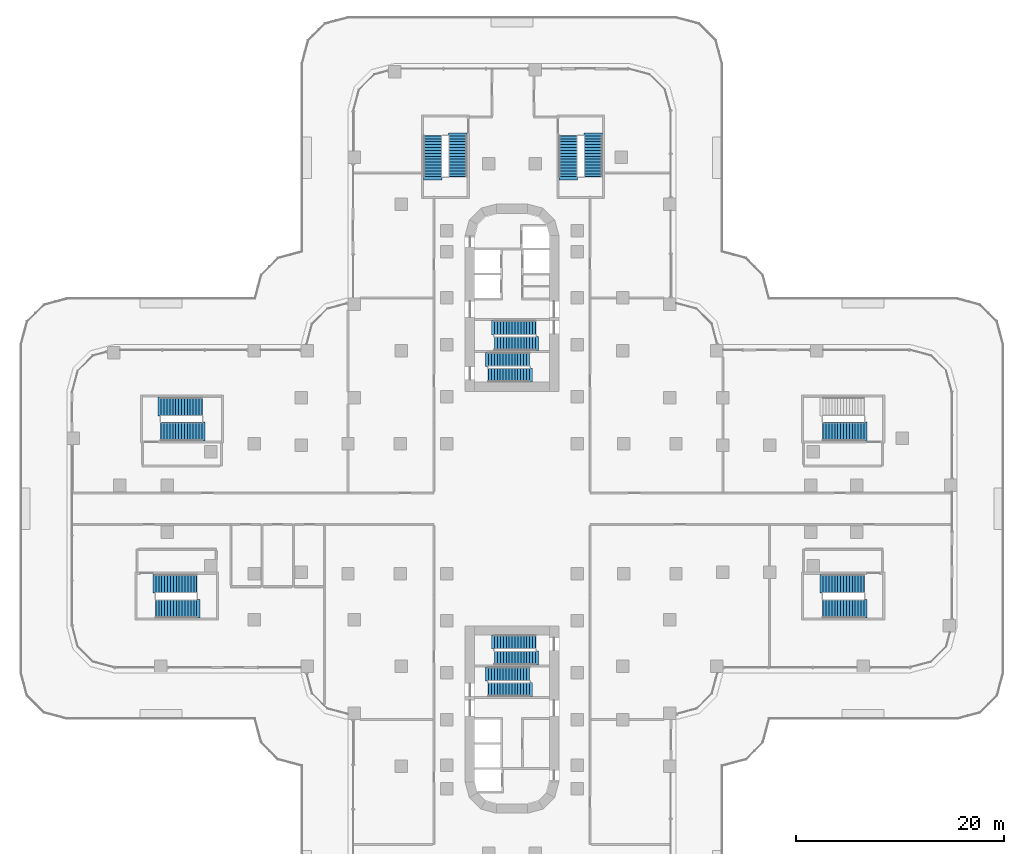
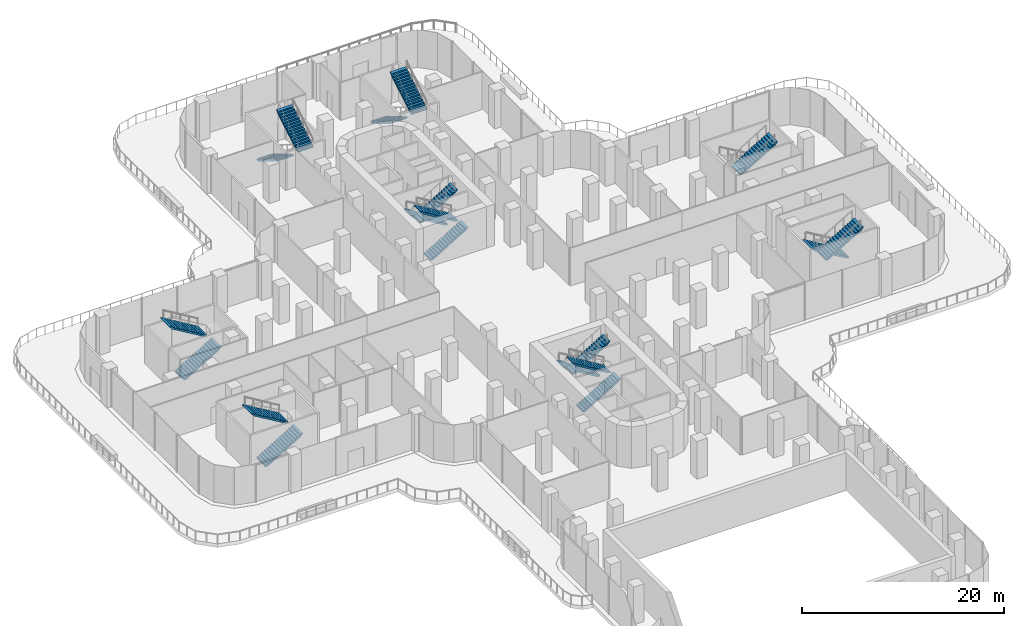
# One storey, part 21 of 27: 19 stair flights, 10 elements without a shape of their own.
"""IFC4 building model written with IfcOpenShell, lengths in metres."""

from ifc_helpers import new_model, si_unit, direction, frame, origin, place, context, subcontext, project, spatial, polyline, outline, extrude, material, type_object, element, aggregate, save


model = new_model("IFC4")

# Units and contexts
model_context = context("Model", 3, precision=1e-05, world=origin(), true_north=direction((0.0, 1.0)))
body_context = subcontext(model_context, "Body", "Model", "MODEL_VIEW")
ifc_project = project(units=[si_unit("LENGTHUNIT", "METRE"), si_unit("AREAUNIT", "SQUARE_METRE"), si_unit("VOLUMEUNIT", "CUBIC_METRE"), si_unit("PLANEANGLEUNIT", "RADIAN"), si_unit("MASSUNIT", "GRAM", prefix="KILO")], contexts=[model_context])

# Site, building, storey
site_placement = place(None, origin())
site = spatial("IfcSite", under=ifc_project, at=site_placement, CompositionType="ELEMENT")
building_placement = place(site_placement, origin())
building = spatial("IfcBuilding", under=site, at=building_placement, Name="Zarbagh Exchange Tower", CompositionType="ELEMENT")
storey_placement = place(building_placement, frame((0.0, 0.0, 17.0)))
storey = spatial("IfcBuildingStorey", under=building, at=storey_placement, Name="L03", CompositionType="ELEMENT", Elevation=17.0)

# Stair, stair flights
ifc_material = material(Name="Concrete C40/50", Category="concrete")
stair_type = type_object("IfcStairType", Name="Exit stair two-flight half-turn", PredefinedType="HALF_TURN_STAIR", material=ifc_material)
stair_1_placement = place(storey_placement, origin())
stair_1 = element("IfcStair", 1, at=stair_1_placement, inside=storey, type_object=stair_type, Name="exit stair ST1", PredefinedType="HALF_TURN_STAIR")
stair_flight_type_1 = type_object("IfcStairFlightType", Name="Stair flight 1350 mm", PredefinedType="STRAIGHT", material=ifc_material)
stair_flight_1_placement = place(storey_placement, frame((2.25, 17.375, 0.0), z_axis=(0.0, 0.0, 1.0), x_axis=(-1.0, 0.0, 0.0)))
stair_flight_1 = element("IfcStairFlight", 2, at=stair_flight_1_placement, type_object=stair_flight_type_1, Name="ST1 flight 1", NumberOfRisers=15, NumberOfTreads=14, PredefinedType="STRAIGHT", RiserHeight=0.166666667, TreadLength=0.28, context=body_context, shape_type="SweptSolid", body=[
    extrude(outline(polyline([(-0.050048828125, -0.050048828125), (-0.050048828125, 0.0), (0.0, 0.0), (0.0, 0.166748046875), (0.280029296875, 0.166748046875), (0.280029296875, 0.333251953125), (0.56005859375, 0.333251953125), (0.56005859375, 0.5), (0.840087890625, 0.5), (0.840087890625, 0.666748046875), (1.1201171875, 0.666748046875), (1.1201171875, 0.833251953125), (1.39990234375, 0.833251953125), (1.39990234375, 1.0), (1.679931640625, 1.0), (1.679931640625, 1.166748046875), (1.9599609375, 1.166748046875), (1.9599609375, 1.333251953125), (2.239990234375, 1.333251953125), (2.239990234375, 1.5), (2.52001953125, 1.5), (2.52001953125, 1.666748046875), (2.800048828125, 1.666748046875), (2.800048828125, 1.833251953125), (3.080078125, 1.833251953125), (3.080078125, 2.0), (3.360107421875, 2.0), (3.360107421875, 2.166748046875), (3.639892578125, 2.166748046875), (3.639892578125, 2.333251953125), (3.919921875, 2.333251953125), (3.919921875, 2.5), (4.219970703125, 2.580078125), (4.219970703125, 2.5), (3.919921875, 2.158935546875), (0.29296875, 0.0), (-0.050048828125, -0.050048828125)])), frame((0.0, 0.675048828125, 0.0), z_axis=(0.0, -1.0, 0.0), x_axis=(1.0, 0.0, 0.0)), (0.0, 0.0, 1.0), 1.35009765625),
])
stair_flight_2_placement = place(storey_placement, frame((-1.669921875, 15.875, 2.5), z_axis=(0.0, 0.0, 1.0), x_axis=(1.0, 0.0, 0.0)))
stair_flight_2 = element("IfcStairFlight", 3, at=stair_flight_2_placement, type_object=stair_flight_type_1, Name="ST1 flight 2", NumberOfRisers=15, NumberOfTreads=14, PredefinedType="STRAIGHT", RiserHeight=0.166666667, TreadLength=0.28, context=body_context, shape_type="SweptSolid", body=[
    extrude(outline(polyline([(-0.050048828125, -0.050048828125), (-0.050048828125, 0.0), (0.0, 0.0), (0.0, 0.166748046875), (0.280029296875, 0.166748046875), (0.280029296875, 0.333251953125), (0.56005859375, 0.333251953125), (0.56005859375, 0.5), (0.840087890625, 0.5), (0.840087890625, 0.666748046875), (1.1201171875, 0.666748046875), (1.1201171875, 0.833251953125), (1.39990234375, 0.833251953125), (1.39990234375, 1.0), (1.679931640625, 1.0), (1.679931640625, 1.166748046875), (1.9599609375, 1.166748046875), (1.9599609375, 1.333251953125), (2.239990234375, 1.333251953125), (2.239990234375, 1.5), (2.52001953125, 1.5), (2.52001953125, 1.666748046875), (2.800048828125, 1.666748046875), (2.800048828125, 1.833251953125), (3.080078125, 1.833251953125), (3.080078125, 2.0), (3.360107421875, 2.0), (3.360107421875, 2.166748046875), (3.639892578125, 2.166748046875), (3.639892578125, 2.333251953125), (3.919921875, 2.333251953125), (3.919921875, 2.5), (4.219970703125, 2.580078125), (4.219970703125, 2.5), (3.919921875, 2.158935546875), (0.29296875, 0.0), (-0.050048828125, -0.050048828125)])), frame((0.0, 0.675048828125, 0.0), z_axis=(0.0, -1.0, 0.0), x_axis=(1.0, 0.0, 0.0)), (0.0, 0.0, 1.0), 1.35009765625),
])
aggregate(stair_1, [stair_flight_1, stair_flight_2])

stair_2_placement = place(storey_placement, origin())
stair_2 = element("IfcStair", 4, at=stair_2_placement, inside=storey, type_object=stair_type, Name="exit stair ST2", PredefinedType="HALF_TURN_STAIR")
stair_flight_3_placement = place(storey_placement, frame((-2.25, 12.824951171875, 0.0), z_axis=(0.0, 0.0, 1.0), x_axis=(1.0, 0.0, 0.0)))
stair_flight_3 = element("IfcStairFlight", 5, at=stair_flight_3_placement, type_object=stair_flight_type_1, Name="ST2 flight 1", NumberOfRisers=15, NumberOfTreads=14, PredefinedType="STRAIGHT", RiserHeight=0.166666667, TreadLength=0.28, context=body_context, shape_type="SweptSolid", body=[
    extrude(outline(polyline([(-0.050048828125, -0.050048828125), (-0.050048828125, 0.0), (0.0, 0.0), (0.0, 0.166748046875), (0.280029296875, 0.166748046875), (0.280029296875, 0.333251953125), (0.56005859375, 0.333251953125), (0.56005859375, 0.5), (0.840087890625, 0.5), (0.840087890625, 0.666748046875), (1.1201171875, 0.666748046875), (1.1201171875, 0.833251953125), (1.39990234375, 0.833251953125), (1.39990234375, 1.0), (1.679931640625, 1.0), (1.679931640625, 1.166748046875), (1.9599609375, 1.166748046875), (1.9599609375, 1.333251953125), (2.239990234375, 1.333251953125), (2.239990234375, 1.5), (2.52001953125, 1.5), (2.52001953125, 1.666748046875), (2.800048828125, 1.666748046875), (2.800048828125, 1.833251953125), (3.080078125, 1.833251953125), (3.080078125, 2.0), (3.360107421875, 2.0), (3.360107421875, 2.166748046875), (3.639892578125, 2.166748046875), (3.639892578125, 2.333251953125), (3.919921875, 2.333251953125), (3.919921875, 2.5), (4.219970703125, 2.580078125), (4.219970703125, 2.5), (3.919921875, 2.158935546875), (0.29296875, 0.0), (-0.050048828125, -0.050048828125)])), frame((0.0, 0.675048828125, 0.0), z_axis=(0.0, -1.0, 0.0), x_axis=(1.0, 0.0, 0.0)), (0.0, 0.0, 1.0), 1.35009765625),
])
stair_flight_4_placement = place(storey_placement, frame((1.669921875, 14.324951171875, 2.5), z_axis=(0.0, 0.0, 1.0), x_axis=(-1.0, 0.0, 0.0)))
stair_flight_4 = element("IfcStairFlight", 6, at=stair_flight_4_placement, type_object=stair_flight_type_1, Name="ST2 flight 2", NumberOfRisers=15, NumberOfTreads=14, PredefinedType="STRAIGHT", RiserHeight=0.166666667, TreadLength=0.28, context=body_context, shape_type="SweptSolid", body=[
    extrude(outline(polyline([(-0.050048828125, -0.050048828125), (-0.050048828125, 0.0), (0.0, 0.0), (0.0, 0.166748046875), (0.280029296875, 0.166748046875), (0.280029296875, 0.333251953125), (0.56005859375, 0.333251953125), (0.56005859375, 0.5), (0.840087890625, 0.5), (0.840087890625, 0.666748046875), (1.1201171875, 0.666748046875), (1.1201171875, 0.833251953125), (1.39990234375, 0.833251953125), (1.39990234375, 1.0), (1.679931640625, 1.0), (1.679931640625, 1.166748046875), (1.9599609375, 1.166748046875), (1.9599609375, 1.333251953125), (2.239990234375, 1.333251953125), (2.239990234375, 1.5), (2.52001953125, 1.5), (2.52001953125, 1.666748046875), (2.800048828125, 1.666748046875), (2.800048828125, 1.833251953125), (3.080078125, 1.833251953125), (3.080078125, 2.0), (3.360107421875, 2.0), (3.360107421875, 2.166748046875), (3.639892578125, 2.166748046875), (3.639892578125, 2.333251953125), (3.919921875, 2.333251953125), (3.919921875, 2.5), (4.219970703125, 2.580078125), (4.219970703125, 2.5), (3.919921875, 2.158935546875), (0.29296875, 0.0), (-0.050048828125, -0.050048828125)])), frame((0.0, 0.675048828125, 0.0), z_axis=(0.0, -1.0, 0.0), x_axis=(1.0, 0.0, 0.0)), (0.0, 0.0, 1.0), 1.35009765625),
])
aggregate(stair_2, [stair_flight_3, stair_flight_4])

stair_3_placement = place(storey_placement, origin())
stair_3 = element("IfcStair", 7, at=stair_3_placement, inside=storey, type_object=stair_type, Name="exit stair ST3", PredefinedType="HALF_TURN_STAIR")
stair_flight_5_placement = place(storey_placement, frame((-2.25, -17.375, 0.0), z_axis=(0.0, 0.0, 1.0), x_axis=(1.0, 0.0, 0.0)))
stair_flight_5 = element("IfcStairFlight", 8, at=stair_flight_5_placement, type_object=stair_flight_type_1, Name="ST3 flight 1", NumberOfRisers=15, NumberOfTreads=14, PredefinedType="STRAIGHT", RiserHeight=0.166666667, TreadLength=0.28, context=body_context, shape_type="SweptSolid", body=[
    extrude(outline(polyline([(-0.050048828125, -0.050048828125), (-0.050048828125, 0.0), (0.0, 0.0), (0.0, 0.166748046875), (0.280029296875, 0.166748046875), (0.280029296875, 0.333251953125), (0.56005859375, 0.333251953125), (0.56005859375, 0.5), (0.840087890625, 0.5), (0.840087890625, 0.666748046875), (1.1201171875, 0.666748046875), (1.1201171875, 0.833251953125), (1.39990234375, 0.833251953125), (1.39990234375, 1.0), (1.679931640625, 1.0), (1.679931640625, 1.166748046875), (1.9599609375, 1.166748046875), (1.9599609375, 1.333251953125), (2.239990234375, 1.333251953125), (2.239990234375, 1.5), (2.52001953125, 1.5), (2.52001953125, 1.666748046875), (2.800048828125, 1.666748046875), (2.800048828125, 1.833251953125), (3.080078125, 1.833251953125), (3.080078125, 2.0), (3.360107421875, 2.0), (3.360107421875, 2.166748046875), (3.639892578125, 2.166748046875), (3.639892578125, 2.333251953125), (3.919921875, 2.333251953125), (3.919921875, 2.5), (4.219970703125, 2.580078125), (4.219970703125, 2.5), (3.919921875, 2.158935546875), (0.29296875, 0.0), (-0.050048828125, -0.050048828125)])), frame((0.0, 0.675048828125, 0.0), z_axis=(0.0, -1.0, 0.0), x_axis=(1.0, 0.0, 0.0)), (0.0, 0.0, 1.0), 1.35009765625),
])
stair_flight_6_placement = place(storey_placement, frame((1.669921875, -15.875, 2.5), z_axis=(0.0, 0.0, 1.0), x_axis=(-1.0, 0.0, 0.0)))
stair_flight_6 = element("IfcStairFlight", 9, at=stair_flight_6_placement, type_object=stair_flight_type_1, Name="ST3 flight 2", NumberOfRisers=15, NumberOfTreads=14, PredefinedType="STRAIGHT", RiserHeight=0.166666667, TreadLength=0.28, context=body_context, shape_type="SweptSolid", body=[
    extrude(outline(polyline([(-0.050048828125, -0.050048828125), (-0.050048828125, 0.0), (0.0, 0.0), (0.0, 0.166748046875), (0.280029296875, 0.166748046875), (0.280029296875, 0.333251953125), (0.56005859375, 0.333251953125), (0.56005859375, 0.5), (0.840087890625, 0.5), (0.840087890625, 0.666748046875), (1.1201171875, 0.666748046875), (1.1201171875, 0.833251953125), (1.39990234375, 0.833251953125), (1.39990234375, 1.0), (1.679931640625, 1.0), (1.679931640625, 1.166748046875), (1.9599609375, 1.166748046875), (1.9599609375, 1.333251953125), (2.239990234375, 1.333251953125), (2.239990234375, 1.5), (2.52001953125, 1.5), (2.52001953125, 1.666748046875), (2.800048828125, 1.666748046875), (2.800048828125, 1.833251953125), (3.080078125, 1.833251953125), (3.080078125, 2.0), (3.360107421875, 2.0), (3.360107421875, 2.166748046875), (3.639892578125, 2.166748046875), (3.639892578125, 2.333251953125), (3.919921875, 2.333251953125), (3.919921875, 2.5), (4.219970703125, 2.580078125), (4.219970703125, 2.5), (3.919921875, 2.158935546875), (0.29296875, 0.0), (-0.050048828125, -0.050048828125)])), frame((0.0, 0.675048828125, 0.0), z_axis=(0.0, -1.0, 0.0), x_axis=(1.0, 0.0, 0.0)), (0.0, 0.0, 1.0), 1.35009765625),
])
aggregate(stair_3, [stair_flight_5, stair_flight_6])

stair_4_placement = place(storey_placement, origin())
stair_4 = element("IfcStair", 10, at=stair_4_placement, inside=storey, type_object=stair_type, Name="exit stair ST4", PredefinedType="HALF_TURN_STAIR")
stair_flight_7_placement = place(storey_placement, frame((2.25, -12.824951171875, 0.0), z_axis=(0.0, 0.0, 1.0), x_axis=(-1.0, 0.0, 0.0)))
stair_flight_7 = element("IfcStairFlight", 11, at=stair_flight_7_placement, type_object=stair_flight_type_1, Name="ST4 flight 1", NumberOfRisers=15, NumberOfTreads=14, PredefinedType="STRAIGHT", RiserHeight=0.166666667, TreadLength=0.28, context=body_context, shape_type="SweptSolid", body=[
    extrude(outline(polyline([(-0.050048828125, -0.050048828125), (-0.050048828125, 0.0), (0.0, 0.0), (0.0, 0.166748046875), (0.280029296875, 0.166748046875), (0.280029296875, 0.333251953125), (0.56005859375, 0.333251953125), (0.56005859375, 0.5), (0.840087890625, 0.5), (0.840087890625, 0.666748046875), (1.1201171875, 0.666748046875), (1.1201171875, 0.833251953125), (1.39990234375, 0.833251953125), (1.39990234375, 1.0), (1.679931640625, 1.0), (1.679931640625, 1.166748046875), (1.9599609375, 1.166748046875), (1.9599609375, 1.333251953125), (2.239990234375, 1.333251953125), (2.239990234375, 1.5), (2.52001953125, 1.5), (2.52001953125, 1.666748046875), (2.800048828125, 1.666748046875), (2.800048828125, 1.833251953125), (3.080078125, 1.833251953125), (3.080078125, 2.0), (3.360107421875, 2.0), (3.360107421875, 2.166748046875), (3.639892578125, 2.166748046875), (3.639892578125, 2.333251953125), (3.919921875, 2.333251953125), (3.919921875, 2.5), (4.219970703125, 2.580078125), (4.219970703125, 2.5), (3.919921875, 2.158935546875), (0.29296875, 0.0), (-0.050048828125, -0.050048828125)])), frame((0.0, 0.675048828125, 0.0), z_axis=(0.0, -1.0, 0.0), x_axis=(1.0, 0.0, 0.0)), (0.0, 0.0, 1.0), 1.35009765625),
])
stair_flight_8_placement = place(storey_placement, frame((-1.669921875, -14.324951171875, 2.5), z_axis=(0.0, 0.0, 1.0), x_axis=(1.0, 0.0, 0.0)))
stair_flight_8 = element("IfcStairFlight", 12, at=stair_flight_8_placement, type_object=stair_flight_type_1, Name="ST4 flight 2", NumberOfRisers=15, NumberOfTreads=14, PredefinedType="STRAIGHT", RiserHeight=0.166666667, TreadLength=0.28, context=body_context, shape_type="SweptSolid", body=[
    extrude(outline(polyline([(-0.050048828125, -0.050048828125), (-0.050048828125, 0.0), (0.0, 0.0), (0.0, 0.166748046875), (0.280029296875, 0.166748046875), (0.280029296875, 0.333251953125), (0.56005859375, 0.333251953125), (0.56005859375, 0.5), (0.840087890625, 0.5), (0.840087890625, 0.666748046875), (1.1201171875, 0.666748046875), (1.1201171875, 0.833251953125), (1.39990234375, 0.833251953125), (1.39990234375, 1.0), (1.679931640625, 1.0), (1.679931640625, 1.166748046875), (1.9599609375, 1.166748046875), (1.9599609375, 1.333251953125), (2.239990234375, 1.333251953125), (2.239990234375, 1.5), (2.52001953125, 1.5), (2.52001953125, 1.666748046875), (2.800048828125, 1.666748046875), (2.800048828125, 1.833251953125), (3.080078125, 1.833251953125), (3.080078125, 2.0), (3.360107421875, 2.0), (3.360107421875, 2.166748046875), (3.639892578125, 2.166748046875), (3.639892578125, 2.333251953125), (3.919921875, 2.333251953125), (3.919921875, 2.5), (4.219970703125, 2.580078125), (4.219970703125, 2.5), (3.919921875, 2.158935546875), (0.29296875, 0.0), (-0.050048828125, -0.050048828125)])), frame((0.0, 0.675048828125, 0.0), z_axis=(0.0, -1.0, 0.0), x_axis=(1.0, 0.0, 0.0)), (0.0, 0.0, 1.0), 1.35009765625),
])
aggregate(stair_4, [stair_flight_7, stair_flight_8])

stair_5_placement = place(storey_placement, origin())
stair_5 = element("IfcStair", 13, at=stair_5_placement, inside=storey, type_object=stair_type, Name="exit stair PS1", PredefinedType="HALF_TURN_STAIR")
stair_flight_type_2 = type_object("IfcStairFlightType", Name="Stair flight 1800 mm", PredefinedType="STRAIGHT", material=ifc_material)
stair_flight_9_placement = place(storey_placement, frame((-7.60009765625, 35.800048828125, 0.0), z_axis=(0.0, 0.0, 1.0), x_axis=(0.0, -1.0, 0.0)))
stair_flight_9 = element("IfcStairFlight", 14, at=stair_flight_9_placement, type_object=stair_flight_type_2, Name="PS1 flight 1", NumberOfRisers=15, NumberOfTreads=14, PredefinedType="STRAIGHT", RiserHeight=0.166666667, TreadLength=0.28, context=body_context, shape_type="SweptSolid", body=[
    extrude(outline(polyline([(-0.050048828125, -0.050048828125), (-0.050048828125, 0.0), (0.0, 0.0), (0.0, 0.166748046875), (0.280029296875, 0.166748046875), (0.280029296875, 0.333251953125), (0.56005859375, 0.333251953125), (0.56005859375, 0.5), (0.840087890625, 0.5), (0.840087890625, 0.666748046875), (1.1201171875, 0.666748046875), (1.1201171875, 0.833251953125), (1.39990234375, 0.833251953125), (1.39990234375, 1.0), (1.679931640625, 1.0), (1.679931640625, 1.166748046875), (1.9599609375, 1.166748046875), (1.9599609375, 1.333251953125), (2.239990234375, 1.333251953125), (2.239990234375, 1.5), (2.52001953125, 1.5), (2.52001953125, 1.666748046875), (2.800048828125, 1.666748046875), (2.800048828125, 1.833251953125), (3.080078125, 1.833251953125), (3.080078125, 2.0), (3.360107421875, 2.0), (3.360107421875, 2.166748046875), (3.639892578125, 2.166748046875), (3.639892578125, 2.333251953125), (3.919921875, 2.333251953125), (3.919921875, 2.5), (4.219970703125, 2.580078125), (4.219970703125, 2.5), (3.919921875, 2.158935546875), (0.29296875, 0.0), (-0.050048828125, -0.050048828125)])), frame((0.0, 0.89990234375, 0.0), z_axis=(0.0, -1.0, 0.0), x_axis=(1.0, 0.0, 0.0)), (0.0, 0.0, 1.0), 1.800048828125),
])
stair_flight_10_placement = place(storey_placement, frame((-5.199951171875, 31.8798828125, 2.5), z_axis=(0.0, 0.0, 1.0), x_axis=(0.0, 1.0, 0.0)))
stair_flight_10 = element("IfcStairFlight", 15, at=stair_flight_10_placement, type_object=stair_flight_type_2, Name="PS1 flight 2", NumberOfRisers=15, NumberOfTreads=14, PredefinedType="STRAIGHT", RiserHeight=0.166666667, TreadLength=0.28, context=body_context, shape_type="SweptSolid", body=[
    extrude(outline(polyline([(-0.050048828125, -0.050048828125), (-0.050048828125, 0.0), (0.0, 0.0), (0.0, 0.166748046875), (0.280029296875, 0.166748046875), (0.280029296875, 0.333251953125), (0.56005859375, 0.333251953125), (0.56005859375, 0.5), (0.840087890625, 0.5), (0.840087890625, 0.666748046875), (1.1201171875, 0.666748046875), (1.1201171875, 0.833251953125), (1.39990234375, 0.833251953125), (1.39990234375, 1.0), (1.679931640625, 1.0), (1.679931640625, 1.166748046875), (1.9599609375, 1.166748046875), (1.9599609375, 1.333251953125), (2.239990234375, 1.333251953125), (2.239990234375, 1.5), (2.52001953125, 1.5), (2.52001953125, 1.666748046875), (2.800048828125, 1.666748046875), (2.800048828125, 1.833251953125), (3.080078125, 1.833251953125), (3.080078125, 2.0), (3.360107421875, 2.0), (3.360107421875, 2.166748046875), (3.639892578125, 2.166748046875), (3.639892578125, 2.333251953125), (3.919921875, 2.333251953125), (3.919921875, 2.5), (4.219970703125, 2.580078125), (4.219970703125, 2.5), (3.919921875, 2.158935546875), (0.29296875, 0.0), (-0.050048828125, -0.050048828125)])), frame((0.0, 0.89990234375, 0.0), z_axis=(0.0, -1.0, 0.0), x_axis=(1.0, 0.0, 0.0)), (0.0, 0.0, 1.0), 1.800048828125),
])
aggregate(stair_5, [stair_flight_9, stair_flight_10])

stair_6_placement = place(storey_placement, origin())
stair_6 = element("IfcStair", 16, at=stair_6_placement, inside=storey, type_object=stair_type, Name="exit stair PS2", PredefinedType="HALF_TURN_STAIR")
stair_flight_11_placement = place(storey_placement, frame((5.39990234375, 35.800048828125, 0.0), z_axis=(0.0, 0.0, 1.0), x_axis=(0.0, -1.0, 0.0)))
stair_flight_11 = element("IfcStairFlight", 17, at=stair_flight_11_placement, type_object=stair_flight_type_2, Name="PS2 flight 1", NumberOfRisers=15, NumberOfTreads=14, PredefinedType="STRAIGHT", RiserHeight=0.166666667, TreadLength=0.28, context=body_context, shape_type="SweptSolid", body=[
    extrude(outline(polyline([(-0.050048828125, -0.050048828125), (-0.050048828125, 0.0), (0.0, 0.0), (0.0, 0.166748046875), (0.280029296875, 0.166748046875), (0.280029296875, 0.333251953125), (0.56005859375, 0.333251953125), (0.56005859375, 0.5), (0.840087890625, 0.5), (0.840087890625, 0.666748046875), (1.1201171875, 0.666748046875), (1.1201171875, 0.833251953125), (1.39990234375, 0.833251953125), (1.39990234375, 1.0), (1.679931640625, 1.0), (1.679931640625, 1.166748046875), (1.9599609375, 1.166748046875), (1.9599609375, 1.333251953125), (2.239990234375, 1.333251953125), (2.239990234375, 1.5), (2.52001953125, 1.5), (2.52001953125, 1.666748046875), (2.800048828125, 1.666748046875), (2.800048828125, 1.833251953125), (3.080078125, 1.833251953125), (3.080078125, 2.0), (3.360107421875, 2.0), (3.360107421875, 2.166748046875), (3.639892578125, 2.166748046875), (3.639892578125, 2.333251953125), (3.919921875, 2.333251953125), (3.919921875, 2.5), (4.219970703125, 2.580078125), (4.219970703125, 2.5), (3.919921875, 2.158935546875), (0.29296875, 0.0), (-0.050048828125, -0.050048828125)])), frame((0.0, 0.89990234375, 0.0), z_axis=(0.0, -1.0, 0.0), x_axis=(1.0, 0.0, 0.0)), (0.0, 0.0, 1.0), 1.800048828125),
])
stair_flight_12_placement = place(storey_placement, frame((7.800048828125, 31.8798828125, 2.5), z_axis=(0.0, 0.0, 1.0), x_axis=(0.0, 1.0, 0.0)))
stair_flight_12 = element("IfcStairFlight", 18, at=stair_flight_12_placement, type_object=stair_flight_type_2, Name="PS2 flight 2", NumberOfRisers=15, NumberOfTreads=14, PredefinedType="STRAIGHT", RiserHeight=0.166666667, TreadLength=0.28, context=body_context, shape_type="SweptSolid", body=[
    extrude(outline(polyline([(-0.050048828125, -0.050048828125), (-0.050048828125, 0.0), (0.0, 0.0), (0.0, 0.166748046875), (0.280029296875, 0.166748046875), (0.280029296875, 0.333251953125), (0.56005859375, 0.333251953125), (0.56005859375, 0.5), (0.840087890625, 0.5), (0.840087890625, 0.666748046875), (1.1201171875, 0.666748046875), (1.1201171875, 0.833251953125), (1.39990234375, 0.833251953125), (1.39990234375, 1.0), (1.679931640625, 1.0), (1.679931640625, 1.166748046875), (1.9599609375, 1.166748046875), (1.9599609375, 1.333251953125), (2.239990234375, 1.333251953125), (2.239990234375, 1.5), (2.52001953125, 1.5), (2.52001953125, 1.666748046875), (2.800048828125, 1.666748046875), (2.800048828125, 1.833251953125), (3.080078125, 1.833251953125), (3.080078125, 2.0), (3.360107421875, 2.0), (3.360107421875, 2.166748046875), (3.639892578125, 2.166748046875), (3.639892578125, 2.333251953125), (3.919921875, 2.333251953125), (3.919921875, 2.5), (4.219970703125, 2.580078125), (4.219970703125, 2.5), (3.919921875, 2.158935546875), (0.29296875, 0.0), (-0.050048828125, -0.050048828125)])), frame((0.0, 0.89990234375, 0.0), z_axis=(0.0, -1.0, 0.0), x_axis=(1.0, 0.0, 0.0)), (0.0, 0.0, 1.0), 1.800048828125),
])
aggregate(stair_6, [stair_flight_11, stair_flight_12])

# Stair, stair flight
stair_7_placement = place(storey_placement, origin())
stair_7 = element("IfcStair", 19, at=stair_7_placement, inside=storey, type_object=stair_type, Name="exit stair PS3", PredefinedType="HALF_TURN_STAIR")
stair_flight_13_placement = place(storey_placement, frame((29.8798828125, 7.39990234375, 2.5), z_axis=(0.0, 0.0, 1.0), x_axis=(1.0, 0.0, 0.0)))
stair_flight_13 = element("IfcStairFlight", 20, at=stair_flight_13_placement, type_object=stair_flight_type_2, Name="PS3 flight 2", NumberOfRisers=15, NumberOfTreads=14, PredefinedType="STRAIGHT", RiserHeight=0.166666667, TreadLength=0.28, context=body_context, shape_type="SweptSolid", body=[
    extrude(outline(polyline([(-0.050048828125, -0.050048828125), (-0.050048828125, 0.0), (0.0, 0.0), (0.0, 0.166748046875), (0.280029296875, 0.166748046875), (0.280029296875, 0.333251953125), (0.56005859375, 0.333251953125), (0.56005859375, 0.5), (0.840087890625, 0.5), (0.840087890625, 0.666748046875), (1.1201171875, 0.666748046875), (1.1201171875, 0.833251953125), (1.39990234375, 0.833251953125), (1.39990234375, 1.0), (1.679931640625, 1.0), (1.679931640625, 1.166748046875), (1.9599609375, 1.166748046875), (1.9599609375, 1.333251953125), (2.239990234375, 1.333251953125), (2.239990234375, 1.5), (2.52001953125, 1.5), (2.52001953125, 1.666748046875), (2.800048828125, 1.666748046875), (2.800048828125, 1.833251953125), (3.080078125, 1.833251953125), (3.080078125, 2.0), (3.360107421875, 2.0), (3.360107421875, 2.166748046875), (3.639892578125, 2.166748046875), (3.639892578125, 2.333251953125), (3.919921875, 2.333251953125), (3.919921875, 2.5), (4.219970703125, 2.580078125), (4.219970703125, 2.5), (3.919921875, 2.158935546875), (0.29296875, 0.0), (-0.050048828125, -0.050048828125)])), frame((0.0, 0.89990234375, 0.0), z_axis=(0.0, -1.0, 0.0), x_axis=(1.0, 0.0, 0.0)), (0.0, 0.0, 1.0), 1.800048828125),
])
aggregate(stair_7, [stair_flight_13])

# Stair, stair flights
stair_8_placement = place(storey_placement, origin())
stair_8 = element("IfcStair", 21, at=stair_8_placement, inside=storey, type_object=stair_type, Name="exit stair PS4", PredefinedType="HALF_TURN_STAIR")
stair_flight_14_placement = place(storey_placement, frame((-34.199951171875, -9.60009765625, 0.0), z_axis=(0.0, 0.0, 1.0), x_axis=(1.0, 0.0, 0.0)))
stair_flight_14 = element("IfcStairFlight", 22, at=stair_flight_14_placement, type_object=stair_flight_type_2, Name="PS4 flight 1", NumberOfRisers=15, NumberOfTreads=14, PredefinedType="STRAIGHT", RiserHeight=0.166666667, TreadLength=0.28, context=body_context, shape_type="SweptSolid", body=[
    extrude(outline(polyline([(-0.050048828125, -0.050048828125), (-0.050048828125, 0.0), (0.0, 0.0), (0.0, 0.166748046875), (0.280029296875, 0.166748046875), (0.280029296875, 0.333251953125), (0.56005859375, 0.333251953125), (0.56005859375, 0.5), (0.840087890625, 0.5), (0.840087890625, 0.666748046875), (1.1201171875, 0.666748046875), (1.1201171875, 0.833251953125), (1.39990234375, 0.833251953125), (1.39990234375, 1.0), (1.679931640625, 1.0), (1.679931640625, 1.166748046875), (1.9599609375, 1.166748046875), (1.9599609375, 1.333251953125), (2.239990234375, 1.333251953125), (2.239990234375, 1.5), (2.52001953125, 1.5), (2.52001953125, 1.666748046875), (2.800048828125, 1.666748046875), (2.800048828125, 1.833251953125), (3.080078125, 1.833251953125), (3.080078125, 2.0), (3.360107421875, 2.0), (3.360107421875, 2.166748046875), (3.639892578125, 2.166748046875), (3.639892578125, 2.333251953125), (3.919921875, 2.333251953125), (3.919921875, 2.5), (4.219970703125, 2.580078125), (4.219970703125, 2.5), (3.919921875, 2.158935546875), (0.29296875, 0.0), (-0.050048828125, -0.050048828125)])), frame((0.0, 0.89990234375, 0.0), z_axis=(0.0, -1.0, 0.0), x_axis=(1.0, 0.0, 0.0)), (0.0, 0.0, 1.0), 1.800048828125),
])
stair_flight_15_placement = place(storey_placement, frame((-30.280029296875, -7.199951171875, 2.5), z_axis=(0.0, 0.0, 1.0), x_axis=(-1.0, 0.0, 0.0)))
stair_flight_15 = element("IfcStairFlight", 23, at=stair_flight_15_placement, type_object=stair_flight_type_2, Name="PS4 flight 2", NumberOfRisers=15, NumberOfTreads=14, PredefinedType="STRAIGHT", RiserHeight=0.166666667, TreadLength=0.28, context=body_context, shape_type="SweptSolid", body=[
    extrude(outline(polyline([(-0.050048828125, -0.050048828125), (-0.050048828125, 0.0), (0.0, 0.0), (0.0, 0.166748046875), (0.280029296875, 0.166748046875), (0.280029296875, 0.333251953125), (0.56005859375, 0.333251953125), (0.56005859375, 0.5), (0.840087890625, 0.5), (0.840087890625, 0.666748046875), (1.1201171875, 0.666748046875), (1.1201171875, 0.833251953125), (1.39990234375, 0.833251953125), (1.39990234375, 1.0), (1.679931640625, 1.0), (1.679931640625, 1.166748046875), (1.9599609375, 1.166748046875), (1.9599609375, 1.333251953125), (2.239990234375, 1.333251953125), (2.239990234375, 1.5), (2.52001953125, 1.5), (2.52001953125, 1.666748046875), (2.800048828125, 1.666748046875), (2.800048828125, 1.833251953125), (3.080078125, 1.833251953125), (3.080078125, 2.0), (3.360107421875, 2.0), (3.360107421875, 2.166748046875), (3.639892578125, 2.166748046875), (3.639892578125, 2.333251953125), (3.919921875, 2.333251953125), (3.919921875, 2.5), (4.219970703125, 2.580078125), (4.219970703125, 2.5), (3.919921875, 2.158935546875), (0.29296875, 0.0), (-0.050048828125, -0.050048828125)])), frame((0.0, 0.89990234375, 0.0), z_axis=(0.0, -1.0, 0.0), x_axis=(1.0, 0.0, 0.0)), (0.0, 0.0, 1.0), 1.800048828125),
])
aggregate(stair_8, [stair_flight_14, stair_flight_15])

stair_9_placement = place(storey_placement, origin())
stair_9 = element("IfcStair", 24, at=stair_9_placement, inside=storey, type_object=stair_type, Name="exit stair PS5", PredefinedType="HALF_TURN_STAIR")
stair_flight_16_placement = place(storey_placement, frame((-33.699951171875, 7.39990234375, 0.0), z_axis=(0.0, 0.0, 1.0), x_axis=(1.0, 0.0, 0.0)))
stair_flight_16 = element("IfcStairFlight", 25, at=stair_flight_16_placement, type_object=stair_flight_type_2, Name="PS5 flight 1", NumberOfRisers=15, NumberOfTreads=14, PredefinedType="STRAIGHT", RiserHeight=0.166666667, TreadLength=0.28, context=body_context, shape_type="SweptSolid", body=[
    extrude(outline(polyline([(-0.050048828125, -0.050048828125), (-0.050048828125, 0.0), (0.0, 0.0), (0.0, 0.166748046875), (0.280029296875, 0.166748046875), (0.280029296875, 0.333251953125), (0.56005859375, 0.333251953125), (0.56005859375, 0.5), (0.840087890625, 0.5), (0.840087890625, 0.666748046875), (1.1201171875, 0.666748046875), (1.1201171875, 0.833251953125), (1.39990234375, 0.833251953125), (1.39990234375, 1.0), (1.679931640625, 1.0), (1.679931640625, 1.166748046875), (1.9599609375, 1.166748046875), (1.9599609375, 1.333251953125), (2.239990234375, 1.333251953125), (2.239990234375, 1.5), (2.52001953125, 1.5), (2.52001953125, 1.666748046875), (2.800048828125, 1.666748046875), (2.800048828125, 1.833251953125), (3.080078125, 1.833251953125), (3.080078125, 2.0), (3.360107421875, 2.0), (3.360107421875, 2.166748046875), (3.639892578125, 2.166748046875), (3.639892578125, 2.333251953125), (3.919921875, 2.333251953125), (3.919921875, 2.5), (4.219970703125, 2.580078125), (4.219970703125, 2.5), (3.919921875, 2.158935546875), (0.29296875, 0.0), (-0.050048828125, -0.050048828125)])), frame((0.0, 0.89990234375, 0.0), z_axis=(0.0, -1.0, 0.0), x_axis=(1.0, 0.0, 0.0)), (0.0, 0.0, 1.0), 1.800048828125),
])
stair_flight_17_placement = place(storey_placement, frame((-29.780029296875, 9.800048828125, 2.5), z_axis=(0.0, 0.0, 1.0), x_axis=(-1.0, 0.0, 0.0)))
stair_flight_17 = element("IfcStairFlight", 26, at=stair_flight_17_placement, type_object=stair_flight_type_2, Name="PS5 flight 2", NumberOfRisers=15, NumberOfTreads=14, PredefinedType="STRAIGHT", RiserHeight=0.166666667, TreadLength=0.28, context=body_context, shape_type="SweptSolid", body=[
    extrude(outline(polyline([(-0.050048828125, -0.050048828125), (-0.050048828125, 0.0), (0.0, 0.0), (0.0, 0.166748046875), (0.280029296875, 0.166748046875), (0.280029296875, 0.333251953125), (0.56005859375, 0.333251953125), (0.56005859375, 0.5), (0.840087890625, 0.5), (0.840087890625, 0.666748046875), (1.1201171875, 0.666748046875), (1.1201171875, 0.833251953125), (1.39990234375, 0.833251953125), (1.39990234375, 1.0), (1.679931640625, 1.0), (1.679931640625, 1.166748046875), (1.9599609375, 1.166748046875), (1.9599609375, 1.333251953125), (2.239990234375, 1.333251953125), (2.239990234375, 1.5), (2.52001953125, 1.5), (2.52001953125, 1.666748046875), (2.800048828125, 1.666748046875), (2.800048828125, 1.833251953125), (3.080078125, 1.833251953125), (3.080078125, 2.0), (3.360107421875, 2.0), (3.360107421875, 2.166748046875), (3.639892578125, 2.166748046875), (3.639892578125, 2.333251953125), (3.919921875, 2.333251953125), (3.919921875, 2.5), (4.219970703125, 2.580078125), (4.219970703125, 2.5), (3.919921875, 2.158935546875), (0.29296875, 0.0), (-0.050048828125, -0.050048828125)])), frame((0.0, 0.89990234375, 0.0), z_axis=(0.0, -1.0, 0.0), x_axis=(1.0, 0.0, 0.0)), (0.0, 0.0, 1.0), 1.800048828125),
])
aggregate(stair_9, [stair_flight_16, stair_flight_17])

stair_10_placement = place(storey_placement, origin())
stair_10 = element("IfcStair", 27, at=stair_10_placement, inside=storey, type_object=stair_type, Name="exit stair PS6", PredefinedType="HALF_TURN_STAIR")
stair_flight_18_placement = place(storey_placement, frame((33.800048828125, -7.199951171875, 0.0), z_axis=(0.0, 0.0, 1.0), x_axis=(-1.0, 0.0, 0.0)))
stair_flight_18 = element("IfcStairFlight", 28, at=stair_flight_18_placement, type_object=stair_flight_type_2, Name="PS6 flight 1", NumberOfRisers=15, NumberOfTreads=14, PredefinedType="STRAIGHT", RiserHeight=0.166666667, TreadLength=0.28, context=body_context, shape_type="SweptSolid", body=[
    extrude(outline(polyline([(-0.050048828125, -0.050048828125), (-0.050048828125, 0.0), (0.0, 0.0), (0.0, 0.166748046875), (0.280029296875, 0.166748046875), (0.280029296875, 0.333251953125), (0.56005859375, 0.333251953125), (0.56005859375, 0.5), (0.840087890625, 0.5), (0.840087890625, 0.666748046875), (1.1201171875, 0.666748046875), (1.1201171875, 0.833251953125), (1.39990234375, 0.833251953125), (1.39990234375, 1.0), (1.679931640625, 1.0), (1.679931640625, 1.166748046875), (1.9599609375, 1.166748046875), (1.9599609375, 1.333251953125), (2.239990234375, 1.333251953125), (2.239990234375, 1.5), (2.52001953125, 1.5), (2.52001953125, 1.666748046875), (2.800048828125, 1.666748046875), (2.800048828125, 1.833251953125), (3.080078125, 1.833251953125), (3.080078125, 2.0), (3.360107421875, 2.0), (3.360107421875, 2.166748046875), (3.639892578125, 2.166748046875), (3.639892578125, 2.333251953125), (3.919921875, 2.333251953125), (3.919921875, 2.5), (4.219970703125, 2.580078125), (4.219970703125, 2.5), (3.919921875, 2.158935546875), (0.29296875, 0.0), (-0.050048828125, -0.050048828125)])), frame((0.0, 0.89990234375, 0.0), z_axis=(0.0, -1.0, 0.0), x_axis=(1.0, 0.0, 0.0)), (0.0, 0.0, 1.0), 1.800048828125),
])
stair_flight_19_placement = place(storey_placement, frame((29.8798828125, -9.60009765625, 2.5), z_axis=(0.0, 0.0, 1.0), x_axis=(1.0, 0.0, 0.0)))
stair_flight_19 = element("IfcStairFlight", 29, at=stair_flight_19_placement, type_object=stair_flight_type_2, Name="PS6 flight 2", NumberOfRisers=15, NumberOfTreads=14, PredefinedType="STRAIGHT", RiserHeight=0.166666667, TreadLength=0.28, context=body_context, shape_type="SweptSolid", body=[
    extrude(outline(polyline([(-0.050048828125, -0.050048828125), (-0.050048828125, 0.0), (0.0, 0.0), (0.0, 0.166748046875), (0.280029296875, 0.166748046875), (0.280029296875, 0.333251953125), (0.56005859375, 0.333251953125), (0.56005859375, 0.5), (0.840087890625, 0.5), (0.840087890625, 0.666748046875), (1.1201171875, 0.666748046875), (1.1201171875, 0.833251953125), (1.39990234375, 0.833251953125), (1.39990234375, 1.0), (1.679931640625, 1.0), (1.679931640625, 1.166748046875), (1.9599609375, 1.166748046875), (1.9599609375, 1.333251953125), (2.239990234375, 1.333251953125), (2.239990234375, 1.5), (2.52001953125, 1.5), (2.52001953125, 1.666748046875), (2.800048828125, 1.666748046875), (2.800048828125, 1.833251953125), (3.080078125, 1.833251953125), (3.080078125, 2.0), (3.360107421875, 2.0), (3.360107421875, 2.166748046875), (3.639892578125, 2.166748046875), (3.639892578125, 2.333251953125), (3.919921875, 2.333251953125), (3.919921875, 2.5), (4.219970703125, 2.580078125), (4.219970703125, 2.5), (3.919921875, 2.158935546875), (0.29296875, 0.0), (-0.050048828125, -0.050048828125)])), frame((0.0, 0.89990234375, 0.0), z_axis=(0.0, -1.0, 0.0), x_axis=(1.0, 0.0, 0.0)), (0.0, 0.0, 1.0), 1.800048828125),
])
aggregate(stair_10, [stair_flight_18, stair_flight_19])

save(model, "model.ifc")
